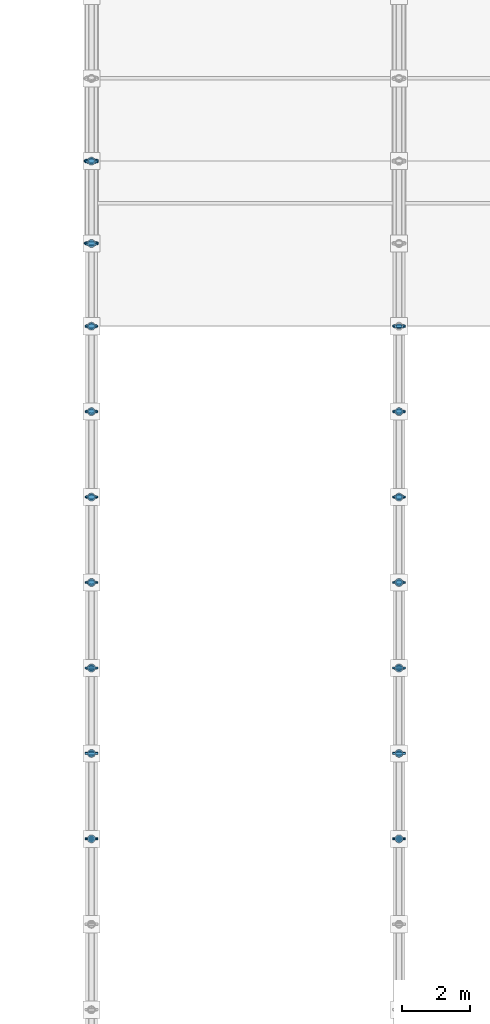
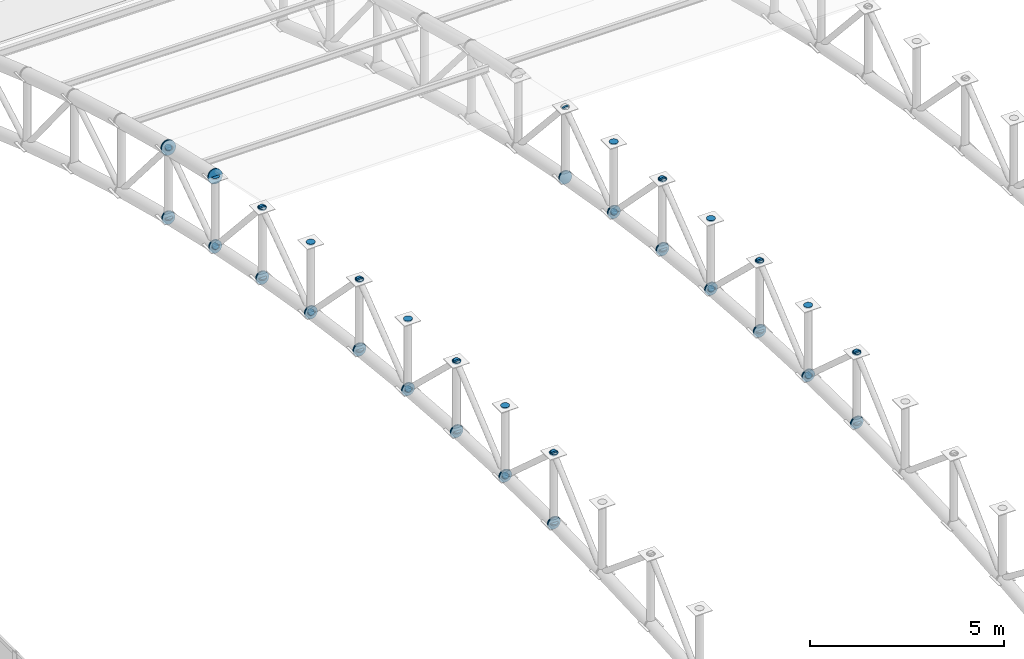
# One storey, part 155 of 195: 96 discrete accessories.
"""IFC4 building model written with IfcOpenShell, lengths in metres."""

import ifcopenshell
import ifcopenshell.guid

model = None  # the IFC model being written
_history = None  # IfcOwnerHistory: only IFC2X3 demands one
_inside = {}  # id of a spatial element -> (the spatial element, [elements in it])
_under = {}  # id of a project, library or spatial element -> (it, [spatial elements below it])
_declared = {}  # id of a project -> (the project, [libraries it declares])
_typed = {}  # id of a type object -> (the type object, [elements of that type])
_made_of = {}  # id of a material, layer set ... -> (it, [elements and type objects made of it])


def new_model(schema):
    """Start an empty IFC model of exactly this schema.

    Asked for "IFC4X3", IfcOpenShell would pick the latest addendum, in which some entities
    have other attributes; the version numbers below select the first issue.
    IFC2X3 requires an IfcOwnerHistory on every rooted entity: one is made here for all.
    """
    global model, _history
    if schema == "IFC4X3":
        model = ifcopenshell.file(schema_version=(4, 3, 0, 0))
    else:
        model = ifcopenshell.file(schema=schema)
    _inside.clear()
    _under.clear()
    _declared.clear()
    _typed.clear()
    _made_of.clear()
    _history = None
    if model.schema == "IFC2X3":
        org = make("IfcOrganization", Name="unknown")
        user = make(
            "IfcPersonAndOrganization",
            ThePerson=make("IfcPerson", FamilyName="unknown"),
            TheOrganization=org,
        )
        app = make(
            "IfcApplication",
            ApplicationDeveloper=org,
            Version="unknown",
            ApplicationFullName="unknown",
            ApplicationIdentifier="unknown",
        )
        _history = make(
            "IfcOwnerHistory",
            OwningUser=user,
            OwningApplication=app,
            ChangeAction="ADDED",
            CreationDate=0,
        )
    return model


def make(cls, **values):
    """One entity of the class cls with the attributes given. An attribute that is None is left unset."""
    return model.create_entity(
        cls, **{name: value for name, value in values.items() if value is not None}
    )


def rooted(cls, **values):
    """An entity with a GlobalId (a new one), such as an element, a storey or a relation."""
    return make(cls, GlobalId=ifcopenshell.guid.new(), OwnerHistory=_history, **values)


def si_unit(unit_type, name, prefix=None):
    """IfcSIUnit, for example si_unit("LENGTHUNIT", "METRE", prefix="MILLI")."""
    return make("IfcSIUnit", UnitType=unit_type, Prefix=prefix, Name=name)


def assignment(units):
    """IfcUnitAssignment: the units of a project."""
    return None if units is None else make("IfcUnitAssignment", Units=units)


def point(xyz):
    """IfcCartesianPoint."""
    return None if xyz is None else make("IfcCartesianPoint", Coordinates=xyz)


def direction(xyz):
    """IfcDirection."""
    return None if xyz is None else make("IfcDirection", DirectionRatios=xyz)


def frame(location, z_axis=None, x_axis=None):
    """IfcAxis2Placement3D, a coordinate frame: its origin and axes. An axis left out is left unset."""
    return make(
        "IfcAxis2Placement3D",
        Location=point(location),
        Axis=direction(z_axis),
        RefDirection=direction(x_axis),
    )


def frame_2d(location, x_axis=None):
    """IfcAxis2Placement2D, a coordinate frame in the plane: its origin and x axis."""
    return make(
        "IfcAxis2Placement2D", Location=point(location), RefDirection=direction(x_axis)
    )


def origin():
    """The frame at (0, 0, 0) with its axes left unset."""
    return frame((0.0, 0.0, 0.0))


def origin_2d():
    """The frame at (0, 0) in the plane with its x axis left unset."""
    return frame_2d((0.0, 0.0))


def place(relative_to, where):
    """IfcLocalPlacement: puts the frame where relative to a parent placement (None: the world)."""
    return make(
        "IfcLocalPlacement", PlacementRelTo=relative_to, RelativePlacement=where
    )


def context(
    kind, dimensions, precision=None, world=None, true_north=None, identifier=None
):
    """IfcGeometricRepresentationContext, for example the 3D "Model" context."""
    return make(
        "IfcGeometricRepresentationContext",
        ContextIdentifier=identifier,
        ContextType=kind,
        CoordinateSpaceDimension=dimensions,
        Precision=precision,
        WorldCoordinateSystem=world,
        TrueNorth=true_north,
    )


def subcontext(parent, identifier, kind, view, scale=None):
    """IfcGeometricRepresentationSubContext, for example "Body" below "Model"."""
    return make(
        "IfcGeometricRepresentationSubContext",
        ContextIdentifier=identifier,
        ContextType=kind,
        ParentContext=parent,
        TargetScale=scale,
        TargetView=view,
    )


def project(units=None, contexts=None):
    """IfcProject with its units and contexts."""
    return rooted(
        "IfcProject",
        Name="project",
        RepresentationContexts=contexts,
        UnitsInContext=assignment(units),
    )


def spatial(cls, under=None, at=None, **own):
    """A site, building, storey or space (cls), placed at a placement, below another one or the project."""
    s = rooted(cls, ObjectPlacement=at, **own)
    if under is not None:
        _under.setdefault(under.id(), (under, []))[1].append(s)
    return s


def profile(cls, at=None, kind="AREA", **sizes):
    """A parametric profile (cls). Its sizes go by their IFC names, for example OverallWidth=200.0."""
    return make(cls, ProfileType=kind, Position=at, **sizes)


def circle(**sizes):
    """IfcCircleProfileDef."""
    return profile("IfcCircleProfileDef", **sizes)


def extrude(swept, where, along, depth):
    """IfcExtrudedAreaSolid: the profile swept, set in the frame where, extruded along a direction by depth."""
    return make(
        "IfcExtrudedAreaSolid",
        SweptArea=swept,
        Position=where,
        ExtrudedDirection=direction(along),
        Depth=depth,
    )


def shape(context_of_items, identifier, shape_type, items):
    """IfcShapeRepresentation: the items that make up one representation, for example the "Body"."""
    return make(
        "IfcShapeRepresentation",
        ContextOfItems=context_of_items,
        RepresentationIdentifier=identifier,
        RepresentationType=shape_type,
        Items=items,
    )


def material(Name=None, Category=None):
    """IfcMaterial."""
    return make("IfcMaterial", Name=Name, Category=Category)


def made_of(thing, what):
    """Note that an element or type object is made of a material, layer set ...; save() writes the relation."""
    if what is not None:
        _made_of.setdefault(what.id(), (what, []))[1].append(thing)
    return thing


def element(
    cls,
    number,
    at=None,
    inside=None,
    cuts=None,
    type_object=None,
    material=None,
    context=None,
    identifier="Body",
    shape_type=None,
    held_by="IfcProductDefinitionShape",
    body=None,
    shapes=None,
    **own,
):
    """One element of the class cls, such as IfcWall. Its Tag is "e" and its number.

    at: its placement. inside: the storey or other place that contains it. cuts: it is an
    opening in that element (IfcRelVoidsElement). A single representation is given by context,
    identifier, shape_type and body (its items); several are given by shapes. held_by: the class
    of the entity that holds the representations. save() writes the other relations.
    """
    e = rooted(cls, Tag="e%d" % number, ObjectPlacement=at, **own)
    if body is not None:
        shapes = [shape(context, identifier, shape_type, body)]
    if shapes is not None:
        e.Representation = make(held_by, Representations=shapes)
    if inside is not None:
        _inside.setdefault(inside.id(), (inside, []))[1].append(e)
    if cuts is not None:
        rooted(
            "IfcRelVoidsElement", RelatingBuildingElement=cuts, RelatedOpeningElement=e
        )
    if type_object is not None:
        _typed.setdefault(type_object.id(), (type_object, []))[1].append(e)
    return made_of(e, material)


def aggregate(whole, parts):
    """IfcRelAggregates: a whole, such as a stair, and the parts it consists of."""
    return rooted("IfcRelAggregates", RelatingObject=whole, RelatedObjects=parts)


def save(model, path):
    """Write the relations noted so far, then the file.

    IfcRelAggregates (storeys below a building ...), IfcRelContainedInSpatialStructure (elements
    in a storey), IfcRelDefinesByType, IfcRelAssociatesMaterial and IfcRelDeclares: one each for
    every whole, place, type object, material and project.
    """
    for whole, parts in _under.values():
        aggregate(whole, parts)
    for where, things in _inside.values():
        rooted(
            "IfcRelContainedInSpatialStructure",
            RelatedElements=things,
            RelatingStructure=where,
        )
    for kind, things in _typed.values():
        rooted("IfcRelDefinesByType", RelatedObjects=things, RelatingType=kind)
    for what, things in _made_of.values():
        rooted("IfcRelAssociatesMaterial", RelatedObjects=things, RelatingMaterial=what)
    for by, libraries in _declared.values():
        rooted("IfcRelDeclares", RelatingContext=by, RelatedDefinitions=libraries)
    model.write(path)


model = new_model("IFC4")

# Units and contexts
model_context = context("Model", 3, precision=1e-05, world=origin(), true_north=direction((0.0, 1.0)))
body_context = subcontext(model_context, "Body", "Model", "MODEL_VIEW")
ifc_project = project(units=[si_unit("LENGTHUNIT", "METRE"), si_unit("AREAUNIT", "SQUARE_METRE"), si_unit("VOLUMEUNIT", "CUBIC_METRE"), si_unit("PLANEANGLEUNIT", "RADIAN"), si_unit("MASSUNIT", "GRAM", prefix="KILO")], contexts=[model_context])

# Site, building, storey
site_placement = place(None, origin())
site = spatial("IfcSite", under=ifc_project, at=site_placement, CompositionType="ELEMENT")
building_placement = place(site_placement, origin())
building = spatial("IfcBuilding", under=site, at=building_placement, Name="Marlcrest Central Station", CompositionType="ELEMENT")
storey_placement = place(building_placement, frame((0.0, 0.0, 9.800048828125)))
storey = spatial("IfcBuildingStorey", under=building, at=storey_placement, Name="L02", CompositionType="ELEMENT", Elevation=9.800048828125)

# Discrete accessories
ifc_material = material(Name="Steel S355", Category="steel")
discrete_accessory_1_placement = place(storey_placement, frame((144.0, 65.97509765625, 4.799560546875), z_axis=(0.0, 0.999879472592, 0.01552547228), x_axis=(-1.0, 0.0, 0.0)))
element("IfcDiscreteAccessory", 1, at=discrete_accessory_1_placement, inside=storey, material=ifc_material, Name="endcap-mem-AC-02-L02-01137-e", ObjectType="END_CAP_PLATE", PredefinedType="BRACKET", context=body_context, shape_type="SweptSolid", body=[
    extrude(circle(Radius=0.185791015625, at=origin_2d()), origin(), (0.0, 0.0, 1.0), 0.0400390625),
])
discrete_accessory_2_placement = place(storey_placement, frame((144.0, 65.9814453125, 6.9833984375), z_axis=(0.0, 0.744955843007, 0.66711377738), x_axis=(-1.0, 0.0, 0.0)))
element("IfcDiscreteAccessory", 2, at=discrete_accessory_2_placement, inside=storey, material=ifc_material, Name="endcap-mem-AD-01-L02-01139-e", ObjectType="END_CAP_PLATE", PredefinedType="BRACKET", context=body_context, shape_type="SweptSolid", body=[
    extrude(circle(Radius=0.092041015625, at=origin_2d()), origin(), (0.0, 0.0, 1.0), 0.0400390625),
])
for number, where, z_axis, x_axis, name in (
    (3, (144.0, 65.985107421875, 4.80029296875), (0.0, 0.999879472592, -0.01552547228), (-1.0, 0.0, 0.0), "endcap-mem-AC-02-L02-01141-s"),
    (4, (144.0, 68.47509765625, 4.76171875), (0.0, 0.999879472592, -0.01552547228), (-1.0, 0.0, 0.0), "endcap-mem-AC-02-L02-01141-e"),
):
    element("IfcDiscreteAccessory", number, at=place(storey_placement, frame(where, z_axis=z_axis, x_axis=x_axis)), inside=storey, material=ifc_material, Name=name, ObjectType="END_CAP_PLATE", PredefinedType="BRACKET", context=body_context, shape_type="SweptSolid", body=[
        extrude(circle(Radius=0.185791015625, at=origin_2d()), origin(), (0.0, 0.0, 1.0), 0.0400390625),
    ])
for number, where, z_axis, x_axis, name in (
    (5, (144.0, 66.0, 4.78515625), (0.0, 0.0, 1.0), (1.0, 0.0, 0.0), "endcap-mem-AP-01-L02-01142-s"),
    (6, (144.0, 66.0, 6.97509765625), (0.0, 0.0, 1.0), (1.0, 0.0, 0.0), "endcap-mem-AP-01-L02-01142-e"),
):
    element("IfcDiscreteAccessory", number, at=place(storey_placement, frame(where, z_axis=z_axis, x_axis=x_axis)), inside=storey, material=ifc_material, Name=name, ObjectType="END_CAP_PLATE", PredefinedType="BRACKET", context=body_context, shape_type="SweptSolid", body=[
        extrude(circle(Radius=0.117431640625, at=origin_2d()), origin(), (0.0, 0.0, 1.0), 0.0400390625),
    ])
for number, where, z_axis, x_axis, name in (
    (7, (144.0, 65.98876953125, 7.010009765625), (0.0, 0.744955843007, -0.66711377738), (-1.0, 0.0, 0.0), "endcap-mem-AD-01-L02-01143-s"),
    (8, (144.0, 68.4814453125, 4.77783203125), (0.0, 0.744955843007, -0.66711377738), (-1.0, 0.0, 0.0), "endcap-mem-AD-01-L02-01143-e"),
):
    element("IfcDiscreteAccessory", number, at=place(storey_placement, frame(where, z_axis=z_axis, x_axis=x_axis)), inside=storey, material=ifc_material, Name=name, ObjectType="END_CAP_PLATE", PredefinedType="BRACKET", context=body_context, shape_type="SweptSolid", body=[
        extrude(circle(Radius=0.092041015625, at=origin_2d()), origin(), (0.0, 0.0, 1.0), 0.0400390625),
    ])
for number, where, z_axis, x_axis, name in (
    (9, (144.0, 68.485107421875, 4.761962890625), (0.0, 0.998916819647, -0.046531574509), (-1.0, 0.0, 0.0), "endcap-mem-AC-02-L02-01145-s"),
    (10, (144.0, 70.97509765625, 4.64599609375), (0.0, 0.998916819647, -0.046531574509), (-1.0, 0.0, 0.0), "endcap-mem-AC-02-L02-01145-e"),
):
    element("IfcDiscreteAccessory", number, at=place(storey_placement, frame(where, z_axis=z_axis, x_axis=x_axis)), inside=storey, material=ifc_material, Name=name, ObjectType="END_CAP_PLATE", PredefinedType="BRACKET", context=body_context, shape_type="SweptSolid", body=[
        extrude(circle(Radius=0.185791015625, at=origin_2d()), origin(), (0.0, 0.0, 1.0), 0.0400390625),
    ])
for number, where, z_axis, x_axis, name in (
    (11, (144.0, 68.5, 4.746337890625), (0.0, 0.0, 1.0), (1.0, 0.0, 0.0), "endcap-mem-AP-01-L02-01146-s"),
    (12, (144.0, 68.5, 6.936279296875), (0.0, 0.0, 1.0), (1.0, 0.0, 0.0), "endcap-mem-AP-01-L02-01146-e"),
):
    element("IfcDiscreteAccessory", number, at=place(storey_placement, frame(where, z_axis=z_axis, x_axis=x_axis)), inside=storey, material=ifc_material, Name=name, ObjectType="END_CAP_PLATE", PredefinedType="BRACKET", context=body_context, shape_type="SweptSolid", body=[
        extrude(circle(Radius=0.117431640625, at=origin_2d()), origin(), (0.0, 0.0, 1.0), 0.0400390625),
    ])
for number, where, z_axis, x_axis, name in (
    (13, (144.0, 68.488525390625, 4.751708984375), (0.0, 0.768159787854, 0.640258182552), (-1.0, 0.0, 0.0), "endcap-mem-AD-01-L02-01147-s"),
    (14, (144.0, 70.980712890625, 6.828857421875), (0.0, 0.768159787854, 0.640258182552), (-1.0, 0.0, 0.0), "endcap-mem-AD-01-L02-01147-e"),
):
    element("IfcDiscreteAccessory", number, at=place(storey_placement, frame(where, z_axis=z_axis, x_axis=x_axis)), inside=storey, material=ifc_material, Name=name, ObjectType="END_CAP_PLATE", PredefinedType="BRACKET", context=body_context, shape_type="SweptSolid", body=[
        extrude(circle(Radius=0.092041015625, at=origin_2d()), origin(), (0.0, 0.0, 1.0), 0.0400390625),
    ])
for number, where, z_axis, x_axis, name in (
    (15, (144.0, 70.985107421875, 4.64599609375), (0.0, 0.997007334767, -0.077307014043), (-1.0, 0.0, 0.0), "endcap-mem-AC-02-L02-01149-s"),
    (16, (144.0, 73.47509765625, 4.452880859375), (0.0, 0.997007334767, -0.077307014043), (-1.0, 0.0, 0.0), "endcap-mem-AC-02-L02-01149-e"),
):
    element("IfcDiscreteAccessory", number, at=place(storey_placement, frame(where, z_axis=z_axis, x_axis=x_axis)), inside=storey, material=ifc_material, Name=name, ObjectType="END_CAP_PLATE", PredefinedType="BRACKET", context=body_context, shape_type="SweptSolid", body=[
        extrude(circle(Radius=0.185791015625, at=origin_2d()), origin(), (0.0, 0.0, 1.0), 0.0400390625),
    ])
for number, where, z_axis, x_axis, name in (
    (17, (144.0, 71.0, 4.6298828125), (0.0, 0.0, 1.0), (1.0, 0.0, 0.0), "endcap-mem-AP-01-L02-01150-s"),
    (18, (144.0, 71.0, 6.820068359375), (0.0, 0.0, 1.0), (1.0, 0.0, 0.0), "endcap-mem-AP-01-L02-01150-e"),
):
    element("IfcDiscreteAccessory", number, at=place(storey_placement, frame(where, z_axis=z_axis, x_axis=x_axis)), inside=storey, material=ifc_material, Name=name, ObjectType="END_CAP_PLATE", PredefinedType="BRACKET", context=body_context, shape_type="SweptSolid", body=[
        extrude(circle(Radius=0.117431640625, at=origin_2d()), origin(), (0.0, 0.0, 1.0), 0.0400390625),
    ])
for number, where, z_axis, x_axis, name in (
    (19, (144.0, 70.9892578125, 6.855224609375), (0.0, 0.722246537655, -0.691635698071), (-1.0, 0.0, 0.0), "endcap-mem-AD-01-L02-01151-s"),
    (20, (144.0, 73.48193359375, 4.46826171875), (0.0, 0.722246537655, -0.691635698071), (-1.0, 0.0, 0.0), "endcap-mem-AD-01-L02-01151-e"),
):
    element("IfcDiscreteAccessory", number, at=place(storey_placement, frame(where, z_axis=z_axis, x_axis=x_axis)), inside=storey, material=ifc_material, Name=name, ObjectType="END_CAP_PLATE", PredefinedType="BRACKET", context=body_context, shape_type="SweptSolid", body=[
        extrude(circle(Radius=0.092041015625, at=origin_2d()), origin(), (0.0, 0.0, 1.0), 0.0400390625),
    ])
for number, where, z_axis, x_axis, name in (
    (21, (144.0, 73.485107421875, 4.45263671875), (0.0, 0.994155341034, -0.107959056565), (-1.0, 0.0, 0.0), "endcap-mem-AC-02-L02-01153-s"),
    (22, (144.0, 75.97509765625, 4.18212890625), (0.0, 0.994155341034, -0.107959056565), (-1.0, 0.0, 0.0), "endcap-mem-AC-02-L02-01153-e"),
):
    element("IfcDiscreteAccessory", number, at=place(storey_placement, frame(where, z_axis=z_axis, x_axis=x_axis)), inside=storey, material=ifc_material, Name=name, ObjectType="END_CAP_PLATE", PredefinedType="BRACKET", context=body_context, shape_type="SweptSolid", body=[
        extrude(circle(Radius=0.185791015625, at=origin_2d()), origin(), (0.0, 0.0, 1.0), 0.0400390625),
    ])
for number, where, z_axis, x_axis, name in (
    (23, (144.0, 73.5, 4.43603515625), (0.0, 0.0, 1.0), (1.0, 0.0, 0.0), "endcap-mem-AP-01-L02-01154-s"),
    (24, (144.0, 73.5, 6.6259765625), (0.0, 0.0, 1.0), (1.0, 0.0, 0.0), "endcap-mem-AP-01-L02-01154-e"),
):
    element("IfcDiscreteAccessory", number, at=place(storey_placement, frame(where, z_axis=z_axis, x_axis=x_axis)), inside=storey, material=ifc_material, Name=name, ObjectType="END_CAP_PLATE", PredefinedType="BRACKET", context=body_context, shape_type="SweptSolid", body=[
        extrude(circle(Radius=0.117431640625, at=origin_2d()), origin(), (0.0, 0.0, 1.0), 0.0400390625),
    ])
for number, where, z_axis, x_axis, name in (
    (25, (144.0, 73.488037109375, 4.441650390625), (0.0, 0.791798282026, 0.610782678684), (-1.0, 0.0, 0.0), "endcap-mem-AD-01-L02-01155-s"),
    (26, (144.0, 75.980224609375, 6.364013671875), (0.0, 0.791798282026, 0.610782678684), (-1.0, 0.0, 0.0), "endcap-mem-AD-01-L02-01155-e"),
):
    element("IfcDiscreteAccessory", number, at=place(storey_placement, frame(where, z_axis=z_axis, x_axis=x_axis)), inside=storey, material=ifc_material, Name=name, ObjectType="END_CAP_PLATE", PredefinedType="BRACKET", context=body_context, shape_type="SweptSolid", body=[
        extrude(circle(Radius=0.092041015625, at=origin_2d()), origin(), (0.0, 0.0, 1.0), 0.0400390625),
    ])
for number, where, z_axis, x_axis, name in (
    (27, (144.0, 75.985107421875, 4.181396484375), (0.0, 0.990402740232, -0.138211476152), (-1.0, 0.0, 0.0), "endcap-mem-AC-02-L02-01157-s"),
    (28, (144.0, 78.475341796875, 3.833984375), (0.0, 0.990402740232, -0.138211476152), (-1.0, 0.0, 0.0), "endcap-mem-AC-02-L02-01157-e"),
):
    element("IfcDiscreteAccessory", number, at=place(storey_placement, frame(where, z_axis=z_axis, x_axis=x_axis)), inside=storey, material=ifc_material, Name=name, ObjectType="END_CAP_PLATE", PredefinedType="BRACKET", context=body_context, shape_type="SweptSolid", body=[
        extrude(circle(Radius=0.185791015625, at=origin_2d()), origin(), (0.0, 0.0, 1.0), 0.0400390625),
    ])
for number, where, z_axis, x_axis, name in (
    (29, (144.0, 76.0, 4.16455078125), (0.0, 0.0, 1.0), (1.0, 0.0, 0.0), "endcap-mem-AP-01-L02-01158-s"),
    (30, (144.0, 76.0, 6.3544921875), (0.0, 0.0, 1.0), (1.0, 0.0, 0.0), "endcap-mem-AP-01-L02-01158-e"),
):
    element("IfcDiscreteAccessory", number, at=place(storey_placement, frame(where, z_axis=z_axis, x_axis=x_axis)), inside=storey, material=ifc_material, Name=name, ObjectType="END_CAP_PLATE", PredefinedType="BRACKET", context=body_context, shape_type="SweptSolid", body=[
        extrude(circle(Radius=0.117431640625, at=origin_2d()), origin(), (0.0, 0.0, 1.0), 0.0400390625),
    ])
for number, where, z_axis, x_axis, name in (
    (31, (144.0, 75.989501953125, 6.39013671875), (0.0, 0.70023547796, -0.713911952139), (-1.0, 0.0, 0.0), "endcap-mem-AD-01-L02-01159-s"),
    (32, (144.0, 78.482421875, 3.848388671875), (0.0, 0.70023547796, -0.713911952139), (-1.0, 0.0, 0.0), "endcap-mem-AD-01-L02-01159-e"),
):
    element("IfcDiscreteAccessory", number, at=place(storey_placement, frame(where, z_axis=z_axis, x_axis=x_axis)), inside=storey, material=ifc_material, Name=name, ObjectType="END_CAP_PLATE", PredefinedType="BRACKET", context=body_context, shape_type="SweptSolid", body=[
        extrude(circle(Radius=0.092041015625, at=origin_2d()), origin(), (0.0, 0.0, 1.0), 0.0400390625),
    ])
for number, where, z_axis, x_axis, name in (
    (33, (144.0, 78.485107421875, 3.8330078125), (0.0, 0.98574109921, -0.168269086076), (-1.0, 0.0, 0.0), "endcap-mem-AC-02-L02-01161-s"),
    (34, (144.0, 80.975341796875, 3.407958984375), (0.0, 0.98574109921, -0.168269086076), (-1.0, 0.0, 0.0), "endcap-mem-AC-02-L02-01161-e"),
):
    element("IfcDiscreteAccessory", number, at=place(storey_placement, frame(where, z_axis=z_axis, x_axis=x_axis)), inside=storey, material=ifc_material, Name=name, ObjectType="END_CAP_PLATE", PredefinedType="BRACKET", context=body_context, shape_type="SweptSolid", body=[
        extrude(circle(Radius=0.185791015625, at=origin_2d()), origin(), (0.0, 0.0, 1.0), 0.0400390625),
    ])
for number, where, z_axis, x_axis, name in (
    (35, (144.0, 78.5, 3.815673828125), (0.0, 0.0, 1.0), (1.0, 0.0, 0.0), "endcap-mem-AP-01-L02-01162-s"),
    (36, (144.0, 78.5, 6.005615234375), (0.0, 0.0, 1.0), (1.0, 0.0, 0.0), "endcap-mem-AP-01-L02-01162-e"),
):
    element("IfcDiscreteAccessory", number, at=place(storey_placement, frame(where, z_axis=z_axis, x_axis=x_axis)), inside=storey, material=ifc_material, Name=name, ObjectType="END_CAP_PLATE", PredefinedType="BRACKET", context=body_context, shape_type="SweptSolid", body=[
        extrude(circle(Radius=0.117431640625, at=origin_2d()), origin(), (0.0, 0.0, 1.0), 0.0400390625),
    ])
for number, where, z_axis, x_axis, name in (
    (37, (144.0, 78.48779296875, 3.82177734375), (0.0, 0.815661132754, 0.57852996164), (-1.0, 0.0, 0.0), "endcap-mem-AD-01-L02-01163-s"),
    (38, (144.0, 80.9794921875, 5.58935546875), (0.0, 0.815661132754, 0.57852996164), (-1.0, 0.0, 0.0), "endcap-mem-AD-01-L02-01163-e"),
):
    element("IfcDiscreteAccessory", number, at=place(storey_placement, frame(where, z_axis=z_axis, x_axis=x_axis)), inside=storey, material=ifc_material, Name=name, ObjectType="END_CAP_PLATE", PredefinedType="BRACKET", context=body_context, shape_type="SweptSolid", body=[
        extrude(circle(Radius=0.092041015625, at=origin_2d()), origin(), (0.0, 0.0, 1.0), 0.0400390625),
    ])
for number, where, z_axis, x_axis, name in (
    (39, (144.0, 80.9853515625, 3.40673828125), (0.0, 0.980359417961, -0.197219196874), (-1.0, 0.0, 0.0), "endcap-mem-AC-02-L02-01165-s"),
    (40, (144.0, 83.3955078125, 2.921875), (0.0, 0.980359417961, -0.197219196874), (-1.0, 0.0, 0.0), "endcap-mem-AC-02-L02-01165-e"),
):
    element("IfcDiscreteAccessory", number, at=place(storey_placement, frame(where, z_axis=z_axis, x_axis=x_axis)), inside=storey, material=ifc_material, Name=name, ObjectType="END_CAP_PLATE", PredefinedType="BRACKET", context=body_context, shape_type="SweptSolid", body=[
        extrude(circle(Radius=0.185791015625, at=origin_2d()), origin(), (0.0, 0.0, 1.0), 0.0400390625),
    ])
for number, where, z_axis, x_axis, name in (
    (41, (144.0, 81.0, 3.388916015625), (0.0, 0.0, 1.0), (1.0, 0.0, 0.0), "endcap-mem-AP-01-L02-01166-s"),
    (42, (144.0, 81.0, 5.578857421875), (0.0, 0.0, 1.0), (1.0, 0.0, 0.0), "endcap-mem-AP-01-L02-01166-e"),
):
    element("IfcDiscreteAccessory", number, at=place(storey_placement, frame(where, z_axis=z_axis, x_axis=x_axis)), inside=storey, material=ifc_material, Name=name, ObjectType="END_CAP_PLATE", PredefinedType="BRACKET", context=body_context, shape_type="SweptSolid", body=[
        extrude(circle(Radius=0.117431640625, at=origin_2d()), origin(), (0.0, 0.0, 1.0), 0.0400390625),
    ])
for number, where, z_axis, x_axis, name in (
    (43, (144.0, 80.989990234375, 5.614990234375), (0.0, 0.669244457479, -0.743042297675), (-1.0, 0.0, 0.0), "endcap-mem-AD-01-L02-01167-s"),
    (44, (144.0, 83.403076171875, 2.935546875), (0.0, 0.669244457479, -0.743042297675), (-1.0, 0.0, 0.0), "endcap-mem-AD-01-L02-01167-e"),
):
    element("IfcDiscreteAccessory", number, at=place(storey_placement, frame(where, z_axis=z_axis, x_axis=x_axis)), inside=storey, material=ifc_material, Name=name, ObjectType="END_CAP_PLATE", PredefinedType="BRACKET", context=body_context, shape_type="SweptSolid", body=[
        extrude(circle(Radius=0.092041015625, at=origin_2d()), origin(), (0.0, 0.0, 1.0), 0.0400390625),
    ])
for number, where, z_axis, x_axis, name in (
    (45, (144.0, 83.4052734375, 5.120361328125), (0.0, 0.974329612642, -0.225126200004), (-1.0, 0.0, 0.0), "endcap-mem-AC-01-L02-01168-s"),
    (46, (144.0, 85.8056640625, 4.565673828125), (0.0, 0.974329612642, -0.225126200004), (-1.0, 0.0, 0.0), "endcap-mem-AC-01-L02-01168-e"),
):
    element("IfcDiscreteAccessory", number, at=place(storey_placement, frame(where, z_axis=z_axis, x_axis=x_axis)), inside=storey, material=ifc_material, Name=name, ObjectType="END_CAP_PLATE", PredefinedType="BRACKET", context=body_context, shape_type="SweptSolid", body=[
        extrude(circle(Radius=0.211181640625, at=origin_2d()), origin(), (0.0, 0.0, 1.0), 0.0400390625),
    ])
for number, where, z_axis, x_axis, name in (
    (47, (144.0, 83.4052734375, 2.92041015625), (0.0, 0.974307959875, -0.225219891049), (-1.0, 0.0, 0.0), "endcap-mem-AC-02-L02-01169-s"),
    (48, (144.0, 85.8056640625, 2.365478515625), (0.0, 0.974307959875, -0.225219891049), (-1.0, 0.0, 0.0), "endcap-mem-AC-02-L02-01169-e"),
):
    element("IfcDiscreteAccessory", number, at=place(storey_placement, frame(where, z_axis=z_axis, x_axis=x_axis)), inside=storey, material=ifc_material, Name=name, ObjectType="END_CAP_PLATE", PredefinedType="BRACKET", context=body_context, shape_type="SweptSolid", body=[
        extrude(circle(Radius=0.185791015625, at=origin_2d()), origin(), (0.0, 0.0, 1.0), 0.0400390625),
    ])
for number, where, z_axis, x_axis, name in (
    (49, (144.0, 83.419921875, 2.902099609375), (0.0, 0.0, 1.0), (1.0, 0.0, 0.0), "endcap-mem-AP-01-L02-01170-s"),
    (50, (144.0, 83.419921875, 5.092041015625), (0.0, 0.0, 1.0), (1.0, 0.0, 0.0), "endcap-mem-AP-01-L02-01170-e"),
):
    element("IfcDiscreteAccessory", number, at=place(storey_placement, frame(where, z_axis=z_axis, x_axis=x_axis)), inside=storey, material=ifc_material, Name=name, ObjectType="END_CAP_PLATE", PredefinedType="BRACKET", context=body_context, shape_type="SweptSolid", body=[
        extrude(circle(Radius=0.117431640625, at=origin_2d()), origin(), (0.0, 0.0, 1.0), 0.0400390625),
    ])
for number, where, z_axis, x_axis, name in (
    (51, (144.0, 83.407470703125, 2.908447265625), (0.0, 0.82626275624, 0.563284881432), (-1.0, 0.0, 0.0), "endcap-mem-AD-01-L02-01171-s"),
    (52, (144.0, 85.809326171875, 4.5458984375), (0.0, 0.82626275624, 0.563284881432), (-1.0, 0.0, 0.0), "endcap-mem-AD-01-L02-01171-e"),
):
    element("IfcDiscreteAccessory", number, at=place(storey_placement, frame(where, z_axis=z_axis, x_axis=x_axis)), inside=storey, material=ifc_material, Name=name, ObjectType="END_CAP_PLATE", PredefinedType="BRACKET", context=body_context, shape_type="SweptSolid", body=[
        extrude(circle(Radius=0.092041015625, at=origin_2d()), origin(), (0.0, 0.0, 1.0), 0.0400390625),
    ])
discrete_accessory_3_placement = place(storey_placement, frame((144.0, 85.815673828125, 4.56396484375), z_axis=(0.0, 0.967539481681, -0.252719906989), x_axis=(-1.0, 0.0, 0.0)))
element("IfcDiscreteAccessory", 53, at=discrete_accessory_3_placement, inside=storey, material=ifc_material, Name="endcap-mem-AC-01-L02-01172-s", ObjectType="END_CAP_PLATE", PredefinedType="BRACKET", context=body_context, shape_type="SweptSolid", body=[
    extrude(circle(Radius=0.211181640625, at=origin_2d()), origin(), (0.0, 0.0, 1.0), 0.0400390625),
])
discrete_accessory_4_placement = place(storey_placement, frame((144.0, 85.815673828125, 2.36376953125), z_axis=(0.0, 0.967563345928, -0.252628524946), x_axis=(-1.0, 0.0, 0.0)))
element("IfcDiscreteAccessory", 54, at=discrete_accessory_4_placement, inside=storey, material=ifc_material, Name="endcap-mem-AC-02-L02-01173-s", ObjectType="END_CAP_PLATE", PredefinedType="BRACKET", context=body_context, shape_type="SweptSolid", body=[
    extrude(circle(Radius=0.185791015625, at=origin_2d()), origin(), (0.0, 0.0, 1.0), 0.0400390625),
])
for number, where, z_axis, x_axis, name in (
    (55, (144.0, 85.830078125, 2.344970703125), (0.0, 0.0, 1.0), (1.0, 0.0, 0.0), "endcap-mem-AP-01-L02-01174-s"),
    (56, (144.0, 85.830078125, 4.53515625), (0.0, 0.0, 1.0), (1.0, 0.0, 0.0), "endcap-mem-AP-01-L02-01174-e"),
):
    element("IfcDiscreteAccessory", number, at=place(storey_placement, frame(where, z_axis=z_axis, x_axis=x_axis)), inside=storey, material=ifc_material, Name=name, ObjectType="END_CAP_PLATE", PredefinedType="BRACKET", context=body_context, shape_type="SweptSolid", body=[
        extrude(circle(Radius=0.117431640625, at=origin_2d()), origin(), (0.0, 0.0, 1.0), 0.0400390625),
    ])
discrete_accessory_5_placement = place(storey_placement, frame((144.0, 85.8203125, 4.571533203125), z_axis=(0.0, 0.649624779144, -0.760254987699), x_axis=(-1.0, 0.0, 0.0)))
element("IfcDiscreteAccessory", 57, at=discrete_accessory_5_placement, inside=storey, material=ifc_material, Name="endcap-mem-AD-01-L02-01175-s", ObjectType="END_CAP_PLATE", PredefinedType="BRACKET", context=body_context, shape_type="SweptSolid", body=[
    extrude(circle(Radius=0.092041015625, at=origin_2d()), origin(), (0.0, 0.0, 1.0), 0.0400390625),
])
discrete_accessory_6_placement = place(storey_placement, frame((153.0, 65.97509765625, 4.799560546875), z_axis=(0.0, 0.999879472592, 0.01552547228), x_axis=(-1.0, 0.0, 0.0)))
element("IfcDiscreteAccessory", 58, at=discrete_accessory_6_placement, inside=storey, material=ifc_material, Name="endcap-mem-AC-02-L02-01253-e", ObjectType="END_CAP_PLATE", PredefinedType="BRACKET", context=body_context, shape_type="SweptSolid", body=[
    extrude(circle(Radius=0.185791015625, at=origin_2d()), origin(), (0.0, 0.0, 1.0), 0.0400390625),
])
discrete_accessory_7_placement = place(storey_placement, frame((153.0, 65.9814453125, 6.9833984375), z_axis=(0.0, 0.744955843007, 0.66711377738), x_axis=(-1.0, 0.0, 0.0)))
element("IfcDiscreteAccessory", 59, at=discrete_accessory_7_placement, inside=storey, material=ifc_material, Name="endcap-mem-AD-01-L02-01255-e", ObjectType="END_CAP_PLATE", PredefinedType="BRACKET", context=body_context, shape_type="SweptSolid", body=[
    extrude(circle(Radius=0.092041015625, at=origin_2d()), origin(), (0.0, 0.0, 1.0), 0.0400390625),
])
for number, where, z_axis, x_axis, name in (
    (60, (153.0, 65.985107421875, 4.80029296875), (0.0, 0.999879472592, -0.01552547228), (-1.0, 0.0, 0.0), "endcap-mem-AC-02-L02-01257-s"),
    (61, (153.0, 68.47509765625, 4.76171875), (0.0, 0.999879472592, -0.01552547228), (-1.0, 0.0, 0.0), "endcap-mem-AC-02-L02-01257-e"),
):
    element("IfcDiscreteAccessory", number, at=place(storey_placement, frame(where, z_axis=z_axis, x_axis=x_axis)), inside=storey, material=ifc_material, Name=name, ObjectType="END_CAP_PLATE", PredefinedType="BRACKET", context=body_context, shape_type="SweptSolid", body=[
        extrude(circle(Radius=0.185791015625, at=origin_2d()), origin(), (0.0, 0.0, 1.0), 0.0400390625),
    ])
for number, where, z_axis, x_axis, name in (
    (62, (153.0, 66.0, 4.78515625), (0.0, 0.0, 1.0), (1.0, 0.0, 0.0), "endcap-mem-AP-01-L02-01258-s"),
    (63, (153.0, 66.0, 6.97509765625), (0.0, 0.0, 1.0), (1.0, 0.0, 0.0), "endcap-mem-AP-01-L02-01258-e"),
):
    element("IfcDiscreteAccessory", number, at=place(storey_placement, frame(where, z_axis=z_axis, x_axis=x_axis)), inside=storey, material=ifc_material, Name=name, ObjectType="END_CAP_PLATE", PredefinedType="BRACKET", context=body_context, shape_type="SweptSolid", body=[
        extrude(circle(Radius=0.117431640625, at=origin_2d()), origin(), (0.0, 0.0, 1.0), 0.0400390625),
    ])
for number, where, z_axis, x_axis, name in (
    (64, (153.0, 65.98876953125, 7.010009765625), (0.0, 0.744955843007, -0.66711377738), (-1.0, 0.0, 0.0), "endcap-mem-AD-01-L02-01259-s"),
    (65, (153.0, 68.4814453125, 4.77783203125), (0.0, 0.744955843007, -0.66711377738), (-1.0, 0.0, 0.0), "endcap-mem-AD-01-L02-01259-e"),
):
    element("IfcDiscreteAccessory", number, at=place(storey_placement, frame(where, z_axis=z_axis, x_axis=x_axis)), inside=storey, material=ifc_material, Name=name, ObjectType="END_CAP_PLATE", PredefinedType="BRACKET", context=body_context, shape_type="SweptSolid", body=[
        extrude(circle(Radius=0.092041015625, at=origin_2d()), origin(), (0.0, 0.0, 1.0), 0.0400390625),
    ])
for number, where, z_axis, x_axis, name in (
    (66, (153.0, 68.485107421875, 4.761962890625), (0.0, 0.998916819647, -0.046531574509), (-1.0, 0.0, 0.0), "endcap-mem-AC-02-L02-01261-s"),
    (67, (153.0, 70.97509765625, 4.64599609375), (0.0, 0.998916819647, -0.046531574509), (-1.0, 0.0, 0.0), "endcap-mem-AC-02-L02-01261-e"),
):
    element("IfcDiscreteAccessory", number, at=place(storey_placement, frame(where, z_axis=z_axis, x_axis=x_axis)), inside=storey, material=ifc_material, Name=name, ObjectType="END_CAP_PLATE", PredefinedType="BRACKET", context=body_context, shape_type="SweptSolid", body=[
        extrude(circle(Radius=0.185791015625, at=origin_2d()), origin(), (0.0, 0.0, 1.0), 0.0400390625),
    ])
for number, where, z_axis, x_axis, name in (
    (68, (153.0, 68.5, 4.746337890625), (0.0, 0.0, 1.0), (1.0, 0.0, 0.0), "endcap-mem-AP-01-L02-01262-s"),
    (69, (153.0, 68.5, 6.936279296875), (0.0, 0.0, 1.0), (1.0, 0.0, 0.0), "endcap-mem-AP-01-L02-01262-e"),
):
    element("IfcDiscreteAccessory", number, at=place(storey_placement, frame(where, z_axis=z_axis, x_axis=x_axis)), inside=storey, material=ifc_material, Name=name, ObjectType="END_CAP_PLATE", PredefinedType="BRACKET", context=body_context, shape_type="SweptSolid", body=[
        extrude(circle(Radius=0.117431640625, at=origin_2d()), origin(), (0.0, 0.0, 1.0), 0.0400390625),
    ])
for number, where, z_axis, x_axis, name in (
    (70, (153.0, 68.488525390625, 4.751708984375), (0.0, 0.768159787854, 0.640258182552), (-1.0, 0.0, 0.0), "endcap-mem-AD-01-L02-01263-s"),
    (71, (153.0, 70.980712890625, 6.828857421875), (0.0, 0.768159787854, 0.640258182552), (-1.0, 0.0, 0.0), "endcap-mem-AD-01-L02-01263-e"),
):
    element("IfcDiscreteAccessory", number, at=place(storey_placement, frame(where, z_axis=z_axis, x_axis=x_axis)), inside=storey, material=ifc_material, Name=name, ObjectType="END_CAP_PLATE", PredefinedType="BRACKET", context=body_context, shape_type="SweptSolid", body=[
        extrude(circle(Radius=0.092041015625, at=origin_2d()), origin(), (0.0, 0.0, 1.0), 0.0400390625),
    ])
for number, where, z_axis, x_axis, name in (
    (72, (153.0, 70.985107421875, 4.64599609375), (0.0, 0.997007334767, -0.077307014043), (-1.0, 0.0, 0.0), "endcap-mem-AC-02-L02-01265-s"),
    (73, (153.0, 73.47509765625, 4.452880859375), (0.0, 0.997007334767, -0.077307014043), (-1.0, 0.0, 0.0), "endcap-mem-AC-02-L02-01265-e"),
):
    element("IfcDiscreteAccessory", number, at=place(storey_placement, frame(where, z_axis=z_axis, x_axis=x_axis)), inside=storey, material=ifc_material, Name=name, ObjectType="END_CAP_PLATE", PredefinedType="BRACKET", context=body_context, shape_type="SweptSolid", body=[
        extrude(circle(Radius=0.185791015625, at=origin_2d()), origin(), (0.0, 0.0, 1.0), 0.0400390625),
    ])
for number, where, z_axis, x_axis, name in (
    (74, (153.0, 71.0, 4.6298828125), (0.0, 0.0, 1.0), (1.0, 0.0, 0.0), "endcap-mem-AP-01-L02-01266-s"),
    (75, (153.0, 71.0, 6.820068359375), (0.0, 0.0, 1.0), (1.0, 0.0, 0.0), "endcap-mem-AP-01-L02-01266-e"),
):
    element("IfcDiscreteAccessory", number, at=place(storey_placement, frame(where, z_axis=z_axis, x_axis=x_axis)), inside=storey, material=ifc_material, Name=name, ObjectType="END_CAP_PLATE", PredefinedType="BRACKET", context=body_context, shape_type="SweptSolid", body=[
        extrude(circle(Radius=0.117431640625, at=origin_2d()), origin(), (0.0, 0.0, 1.0), 0.0400390625),
    ])
for number, where, z_axis, x_axis, name in (
    (76, (153.0, 70.9892578125, 6.855224609375), (0.0, 0.722246537655, -0.691635698071), (-1.0, 0.0, 0.0), "endcap-mem-AD-01-L02-01267-s"),
    (77, (153.0, 73.48193359375, 4.46826171875), (0.0, 0.722246537655, -0.691635698071), (-1.0, 0.0, 0.0), "endcap-mem-AD-01-L02-01267-e"),
):
    element("IfcDiscreteAccessory", number, at=place(storey_placement, frame(where, z_axis=z_axis, x_axis=x_axis)), inside=storey, material=ifc_material, Name=name, ObjectType="END_CAP_PLATE", PredefinedType="BRACKET", context=body_context, shape_type="SweptSolid", body=[
        extrude(circle(Radius=0.092041015625, at=origin_2d()), origin(), (0.0, 0.0, 1.0), 0.0400390625),
    ])
for number, where, z_axis, x_axis, name in (
    (78, (153.0, 73.485107421875, 4.45263671875), (0.0, 0.994155341034, -0.107959056565), (-1.0, 0.0, 0.0), "endcap-mem-AC-02-L02-01269-s"),
    (79, (153.0, 75.97509765625, 4.18212890625), (0.0, 0.994155341034, -0.107959056565), (-1.0, 0.0, 0.0), "endcap-mem-AC-02-L02-01269-e"),
):
    element("IfcDiscreteAccessory", number, at=place(storey_placement, frame(where, z_axis=z_axis, x_axis=x_axis)), inside=storey, material=ifc_material, Name=name, ObjectType="END_CAP_PLATE", PredefinedType="BRACKET", context=body_context, shape_type="SweptSolid", body=[
        extrude(circle(Radius=0.185791015625, at=origin_2d()), origin(), (0.0, 0.0, 1.0), 0.0400390625),
    ])
for number, where, z_axis, x_axis, name in (
    (80, (153.0, 73.5, 4.43603515625), (0.0, 0.0, 1.0), (1.0, 0.0, 0.0), "endcap-mem-AP-01-L02-01270-s"),
    (81, (153.0, 73.5, 6.6259765625), (0.0, 0.0, 1.0), (1.0, 0.0, 0.0), "endcap-mem-AP-01-L02-01270-e"),
):
    element("IfcDiscreteAccessory", number, at=place(storey_placement, frame(where, z_axis=z_axis, x_axis=x_axis)), inside=storey, material=ifc_material, Name=name, ObjectType="END_CAP_PLATE", PredefinedType="BRACKET", context=body_context, shape_type="SweptSolid", body=[
        extrude(circle(Radius=0.117431640625, at=origin_2d()), origin(), (0.0, 0.0, 1.0), 0.0400390625),
    ])
for number, where, z_axis, x_axis, name in (
    (82, (153.0, 73.488037109375, 4.441650390625), (0.0, 0.791798282026, 0.610782678684), (-1.0, 0.0, 0.0), "endcap-mem-AD-01-L02-01271-s"),
    (83, (153.0, 75.980224609375, 6.364013671875), (0.0, 0.791798282026, 0.610782678684), (-1.0, 0.0, 0.0), "endcap-mem-AD-01-L02-01271-e"),
):
    element("IfcDiscreteAccessory", number, at=place(storey_placement, frame(where, z_axis=z_axis, x_axis=x_axis)), inside=storey, material=ifc_material, Name=name, ObjectType="END_CAP_PLATE", PredefinedType="BRACKET", context=body_context, shape_type="SweptSolid", body=[
        extrude(circle(Radius=0.092041015625, at=origin_2d()), origin(), (0.0, 0.0, 1.0), 0.0400390625),
    ])
for number, where, z_axis, x_axis, name in (
    (84, (153.0, 75.985107421875, 4.181396484375), (0.0, 0.990402740232, -0.138211476152), (-1.0, 0.0, 0.0), "endcap-mem-AC-02-L02-01273-s"),
    (85, (153.0, 78.475341796875, 3.833984375), (0.0, 0.990402740232, -0.138211476152), (-1.0, 0.0, 0.0), "endcap-mem-AC-02-L02-01273-e"),
):
    element("IfcDiscreteAccessory", number, at=place(storey_placement, frame(where, z_axis=z_axis, x_axis=x_axis)), inside=storey, material=ifc_material, Name=name, ObjectType="END_CAP_PLATE", PredefinedType="BRACKET", context=body_context, shape_type="SweptSolid", body=[
        extrude(circle(Radius=0.185791015625, at=origin_2d()), origin(), (0.0, 0.0, 1.0), 0.0400390625),
    ])
for number, where, z_axis, x_axis, name in (
    (86, (153.0, 76.0, 4.16455078125), (0.0, 0.0, 1.0), (1.0, 0.0, 0.0), "endcap-mem-AP-01-L02-01274-s"),
    (87, (153.0, 76.0, 6.3544921875), (0.0, 0.0, 1.0), (1.0, 0.0, 0.0), "endcap-mem-AP-01-L02-01274-e"),
):
    element("IfcDiscreteAccessory", number, at=place(storey_placement, frame(where, z_axis=z_axis, x_axis=x_axis)), inside=storey, material=ifc_material, Name=name, ObjectType="END_CAP_PLATE", PredefinedType="BRACKET", context=body_context, shape_type="SweptSolid", body=[
        extrude(circle(Radius=0.117431640625, at=origin_2d()), origin(), (0.0, 0.0, 1.0), 0.0400390625),
    ])
for number, where, z_axis, x_axis, name in (
    (88, (153.0, 75.989501953125, 6.39013671875), (0.0, 0.70023547796, -0.713911952139), (-1.0, 0.0, 0.0), "endcap-mem-AD-01-L02-01275-s"),
    (89, (153.0, 78.482421875, 3.848388671875), (0.0, 0.70023547796, -0.713911952139), (-1.0, 0.0, 0.0), "endcap-mem-AD-01-L02-01275-e"),
):
    element("IfcDiscreteAccessory", number, at=place(storey_placement, frame(where, z_axis=z_axis, x_axis=x_axis)), inside=storey, material=ifc_material, Name=name, ObjectType="END_CAP_PLATE", PredefinedType="BRACKET", context=body_context, shape_type="SweptSolid", body=[
        extrude(circle(Radius=0.092041015625, at=origin_2d()), origin(), (0.0, 0.0, 1.0), 0.0400390625),
    ])
for number, where, z_axis, x_axis, name in (
    (90, (153.0, 78.485107421875, 3.8330078125), (0.0, 0.98574109921, -0.168269086076), (-1.0, 0.0, 0.0), "endcap-mem-AC-02-L02-01277-s"),
    (91, (153.0, 80.975341796875, 3.407958984375), (0.0, 0.98574109921, -0.168269086076), (-1.0, 0.0, 0.0), "endcap-mem-AC-02-L02-01277-e"),
):
    element("IfcDiscreteAccessory", number, at=place(storey_placement, frame(where, z_axis=z_axis, x_axis=x_axis)), inside=storey, material=ifc_material, Name=name, ObjectType="END_CAP_PLATE", PredefinedType="BRACKET", context=body_context, shape_type="SweptSolid", body=[
        extrude(circle(Radius=0.185791015625, at=origin_2d()), origin(), (0.0, 0.0, 1.0), 0.0400390625),
    ])
for number, where, z_axis, x_axis, name in (
    (92, (153.0, 78.5, 3.815673828125), (0.0, 0.0, 1.0), (1.0, 0.0, 0.0), "endcap-mem-AP-01-L02-01278-s"),
    (93, (153.0, 78.5, 6.005615234375), (0.0, 0.0, 1.0), (1.0, 0.0, 0.0), "endcap-mem-AP-01-L02-01278-e"),
):
    element("IfcDiscreteAccessory", number, at=place(storey_placement, frame(where, z_axis=z_axis, x_axis=x_axis)), inside=storey, material=ifc_material, Name=name, ObjectType="END_CAP_PLATE", PredefinedType="BRACKET", context=body_context, shape_type="SweptSolid", body=[
        extrude(circle(Radius=0.117431640625, at=origin_2d()), origin(), (0.0, 0.0, 1.0), 0.0400390625),
    ])
for number, where, z_axis, x_axis, name in (
    (94, (153.0, 78.48779296875, 3.82177734375), (0.0, 0.815661132754, 0.57852996164), (-1.0, 0.0, 0.0), "endcap-mem-AD-01-L02-01279-s"),
    (95, (153.0, 80.9794921875, 5.58935546875), (0.0, 0.815661132754, 0.57852996164), (-1.0, 0.0, 0.0), "endcap-mem-AD-01-L02-01279-e"),
):
    element("IfcDiscreteAccessory", number, at=place(storey_placement, frame(where, z_axis=z_axis, x_axis=x_axis)), inside=storey, material=ifc_material, Name=name, ObjectType="END_CAP_PLATE", PredefinedType="BRACKET", context=body_context, shape_type="SweptSolid", body=[
        extrude(circle(Radius=0.092041015625, at=origin_2d()), origin(), (0.0, 0.0, 1.0), 0.0400390625),
    ])
discrete_accessory_8_placement = place(storey_placement, frame((153.0, 80.9853515625, 3.40673828125), z_axis=(0.0, 0.980359417961, -0.197219196874), x_axis=(-1.0, 0.0, 0.0)))
element("IfcDiscreteAccessory", 96, at=discrete_accessory_8_placement, inside=storey, material=ifc_material, Name="endcap-mem-AC-02-L02-01281-s", ObjectType="END_CAP_PLATE", PredefinedType="BRACKET", context=body_context, shape_type="SweptSolid", body=[
    extrude(circle(Radius=0.185791015625, at=origin_2d()), origin(), (0.0, 0.0, 1.0), 0.0400390625),
])

save(model, "model.ifc")
